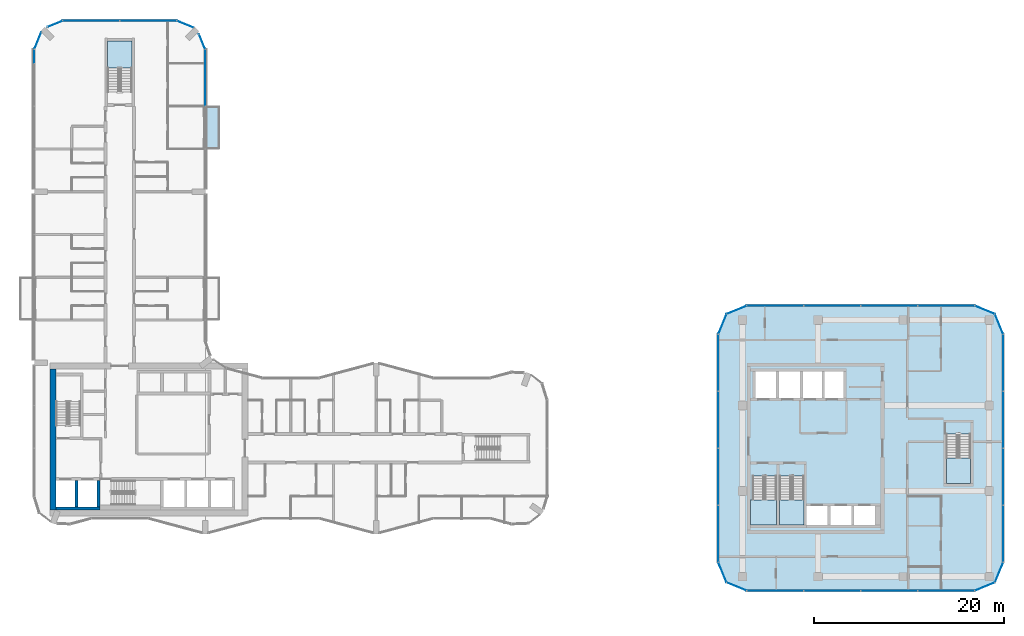
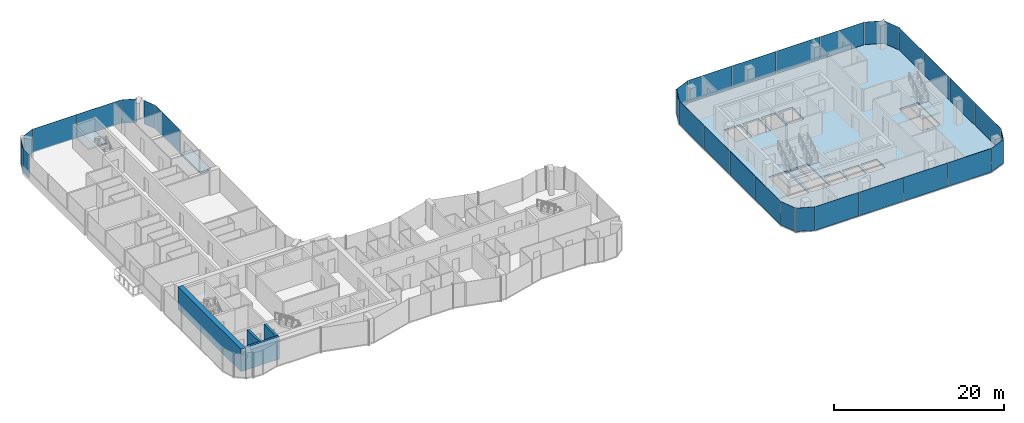
# One storey, part 12 of 22: 32 plates, 6 slabs, 4 walls, 23 elements without a shape of their own.
"""IFC4 building model written with IfcOpenShell, lengths in metres."""

from ifc_helpers import new_model, si_unit, direction, frame, frame_2d, origin, origin_2d, place, context, subcontext, project, spatial, polyline, rectangle, outline, extrude, material, layer, layer_set, type_object, element, aggregate, save


model = new_model("IFC4")

# Units and contexts
model_context = context("Model", 3, precision=1e-05, world=origin(), true_north=direction((0.0, 1.0)))
body_context = subcontext(model_context, "Body", "Model", "MODEL_VIEW")
ifc_project = project(units=[si_unit("LENGTHUNIT", "METRE"), si_unit("AREAUNIT", "SQUARE_METRE"), si_unit("VOLUMEUNIT", "CUBIC_METRE"), si_unit("PLANEANGLEUNIT", "RADIAN"), si_unit("MASSUNIT", "GRAM", prefix="KILO")], contexts=[model_context])

# Site, building, storey
site_placement = place(None, origin())
site = spatial("IfcSite", under=ifc_project, at=site_placement, CompositionType="ELEMENT")
building_placement = place(site_placement, origin())
building = spatial("IfcBuilding", under=site, at=building_placement, Name="Plateau Cross Towers", CompositionType="ELEMENT")
storey_placement = place(building_placement, frame((0.0, 0.0, 106.300048828125)))
storey = spatial("IfcBuildingStorey", under=building, at=storey_placement, Name="L27", CompositionType="ELEMENT", Elevation=106.300048828125)

# Slab
ifc_material_1 = material(Name="Concrete C40/50", Category="concrete")
ifc_layer_1 = layer(ifc_material_1, 0.25)
ifc_layer_set_1 = layer_set([ifc_layer_1], Name="Concrete C40/50")
slab_type_1 = type_object("IfcSlabType", Name="Balcony slab 250", PredefinedType="FLOOR", material=ifc_layer_set_1)
slab_1_placement = place(storey_placement, frame((0.0, 0.0, -0.25)))
element("IfcSlab", 1, at=slab_1_placement, inside=storey, type_object=slab_type_1, Name="Balcony slab A-BAL-L27-03", PredefinedType="FLOOR", context=body_context, shape_type="SweptSolid", body=[
    extrude(outline(polyline([(19.5, 40.5), (19.5, 45.0), (18.0, 45.0), (18.0, 40.5), (19.5, 40.5)])), origin(), (0.0, 0.0, 1.0), 0.25),
])

# Curtain wall, plates
ifc_material_2 = material(Name="Dark low-iron glass", Category="glass")
ifc_layer_2 = layer(ifc_material_2, 0.239990234375)
ifc_layer_set_2 = layer_set([ifc_layer_2], Name="Dark low-iron glass")
curtain_wall_type_1 = type_object("IfcCurtainWallType", Name="Curtain wall office unitised CW-F", PredefinedType="NOTDEFINED", material=ifc_layer_set_2)
curtain_wall_1_placement = place(storey_placement, origin())
curtain_wall_1 = element("IfcCurtainWall", 2, at=curtain_wall_1_placement, inside=storey, type_object=curtain_wall_type_1, Name="ENV/B/L27/B750_-60", PredefinedType="NOTDEFINED")
ifc_layer_3 = layer(ifc_material_2, 0.028076171875)
ifc_layer_set_3 = layer_set([ifc_layer_3], Name="Dark low-iron glass")
plate_type_1 = type_object("IfcPlateType", Name="Glass panel 28 office unitised", PredefinedType="CURTAIN_PANEL", material=ifc_layer_set_3)
plate_1_placement = place(storey_placement, frame((78.0, -6.0, -0.1298828125), z_axis=(0.0, 0.0, 1.0), x_axis=(1.0, 0.0, 0.0)))
plate_1 = element("IfcPlate", 3, at=plate_1_placement, type_object=plate_type_1, Name="CW-F panel 1", PredefinedType="CURTAIN_PANEL", context=body_context, shape_type="SweptSolid", body=[
    extrude(rectangle(XDim=5.93994140625, YDim=0.028076171875, at=origin_2d()), origin(), (0.0, 0.0, 1.0), 3.3798828125),
])
plate_2_placement = place(storey_placement, frame((84.0, -6.0, -0.1298828125), z_axis=(0.0, 0.0, 1.0), x_axis=(1.0, 0.0, 0.0)))
plate_2 = element("IfcPlate", 4, at=plate_2_placement, type_object=plate_type_1, Name="CW-F panel 2", PredefinedType="CURTAIN_PANEL", context=body_context, shape_type="SweptSolid", body=[
    extrude(rectangle(XDim=5.93994140625, YDim=0.028076171875, at=origin_2d()), origin(), (0.0, 0.0, 1.0), 3.3798828125),
])
plate_3_placement = place(storey_placement, frame((90.0, -6.0, -0.1298828125), z_axis=(0.0, 0.0, 1.0), x_axis=(1.0, 0.0, 0.0)))
plate_3 = element("IfcPlate", 5, at=plate_3_placement, type_object=plate_type_1, Name="CW-F panel 3", PredefinedType="CURTAIN_PANEL", context=body_context, shape_type="SweptSolid", body=[
    extrude(rectangle(XDim=5.93994140625, YDim=0.028076171875, at=origin_2d()), origin(), (0.0, 0.0, 1.0), 3.3798828125),
])
plate_4_placement = place(storey_placement, frame((96.0, -6.0, -0.1298828125), z_axis=(0.0, 0.0, 1.0), x_axis=(1.0, 0.0, 0.0)))
plate_4 = element("IfcPlate", 6, at=plate_4_placement, type_object=plate_type_1, Name="CW-F panel 4", PredefinedType="CURTAIN_PANEL", context=body_context, shape_type="SweptSolid", body=[
    extrude(rectangle(XDim=5.93994140625, YDim=0.028076171875, at=origin_2d()), origin(), (0.0, 0.0, 1.0), 3.3798828125),
])
aggregate(curtain_wall_1, [plate_1, plate_2, plate_3, plate_4])

# Curtain wall, plate
curtain_wall_2_placement = place(storey_placement, origin())
curtain_wall_2 = element("IfcCurtainWall", 7, at=curtain_wall_2_placement, inside=storey, type_object=curtain_wall_type_1, Name="ENV/B/L27/B990_-60", PredefinedType="NOTDEFINED")
plate_5_placement = place(storey_placement, frame((100.060546875, -5.560546875, -0.1298828125), z_axis=(0.0, 0.0, 1.0), x_axis=(0.923879457699, 0.382683612978, 0.0)))
plate_5 = element("IfcPlate", 8, at=plate_5_placement, type_object=plate_type_1, Name="CW-F panel 1", PredefinedType="CURTAIN_PANEL", context=body_context, shape_type="SweptSolid", body=[
    extrude(rectangle(XDim=2.236083984375, YDim=0.028076171875, at=origin_2d()), origin(), (0.0, 0.0, 1.0), 3.3798828125),
])
aggregate(curtain_wall_2, [plate_5])

curtain_wall_3_placement = place(storey_placement, origin())
curtain_wall_3 = element("IfcCurtainWall", 9, at=curtain_wall_3_placement, inside=storey, type_object=curtain_wall_type_1, Name="ENV/B/L27/B1011_-51", PredefinedType="NOTDEFINED")
plate_6_placement = place(storey_placement, frame((101.560546875, -4.060546875, -0.1298828125), z_axis=(0.0, 0.0, 1.0), x_axis=(0.382683612978, 0.923879457699, 0.0)))
plate_6 = element("IfcPlate", 10, at=plate_6_placement, type_object=plate_type_1, Name="CW-F panel 1", PredefinedType="CURTAIN_PANEL", context=body_context, shape_type="SweptSolid", body=[
    extrude(rectangle(XDim=2.236083984375, YDim=0.028076171875, at=origin_2d()), origin(), (0.0, 0.0, 1.0), 3.3798828125),
])
aggregate(curtain_wall_3, [plate_6])

# Curtain wall, plates
curtain_wall_4_placement = place(storey_placement, origin())
curtain_wall_4 = element("IfcCurtainWall", 11, at=curtain_wall_4_placement, inside=storey, type_object=curtain_wall_type_1, Name="ENV/B/L27/B1020_-30", PredefinedType="NOTDEFINED")
plate_7_placement = place(storey_placement, frame((102.0, 0.0, -0.1298828125), z_axis=(0.0, 0.0, 1.0), x_axis=(0.0, 1.0, 0.0)))
plate_7 = element("IfcPlate", 12, at=plate_7_placement, type_object=plate_type_1, Name="CW-F panel 1", PredefinedType="CURTAIN_PANEL", context=body_context, shape_type="SweptSolid", body=[
    extrude(rectangle(XDim=5.93994140625, YDim=0.028076171875, at=origin_2d()), origin(), (0.0, 0.0, 1.0), 3.3798828125),
])
plate_8_placement = place(storey_placement, frame((102.0, 6.0, -0.1298828125), z_axis=(0.0, 0.0, 1.0), x_axis=(0.0, 1.0, 0.0)))
plate_8 = element("IfcPlate", 13, at=plate_8_placement, type_object=plate_type_1, Name="CW-F panel 2", PredefinedType="CURTAIN_PANEL", context=body_context, shape_type="SweptSolid", body=[
    extrude(rectangle(XDim=5.93994140625, YDim=0.028076171875, at=origin_2d()), origin(), (0.0, 0.0, 1.0), 3.3798828125),
])
plate_9_placement = place(storey_placement, frame((102.0, 12.0, -0.1298828125), z_axis=(0.0, 0.0, 1.0), x_axis=(0.0, 1.0, 0.0)))
plate_9 = element("IfcPlate", 14, at=plate_9_placement, type_object=plate_type_1, Name="CW-F panel 3", PredefinedType="CURTAIN_PANEL", context=body_context, shape_type="SweptSolid", body=[
    extrude(rectangle(XDim=5.93994140625, YDim=0.028076171875, at=origin_2d()), origin(), (0.0, 0.0, 1.0), 3.3798828125),
])
plate_10_placement = place(storey_placement, frame((102.0, 18.0, -0.1298828125), z_axis=(0.0, 0.0, 1.0), x_axis=(0.0, 1.0, 0.0)))
plate_10 = element("IfcPlate", 15, at=plate_10_placement, type_object=plate_type_1, Name="CW-F panel 4", PredefinedType="CURTAIN_PANEL", context=body_context, shape_type="SweptSolid", body=[
    extrude(rectangle(XDim=5.93994140625, YDim=0.028076171875, at=origin_2d()), origin(), (0.0, 0.0, 1.0), 3.3798828125),
])
aggregate(curtain_wall_4, [plate_7, plate_8, plate_9, plate_10])

# Curtain wall, plate
curtain_wall_5_placement = place(storey_placement, origin())
curtain_wall_5 = element("IfcCurtainWall", 16, at=curtain_wall_5_placement, inside=storey, type_object=curtain_wall_type_1, Name="ENV/B/L27/B1020_210", PredefinedType="NOTDEFINED")
plate_11_placement = place(storey_placement, frame((101.560546875, 22.060546875, -0.1298828125), z_axis=(0.0, 0.0, 1.0), x_axis=(-0.382683612978, 0.923879457699, 0.0)))
plate_11 = element("IfcPlate", 17, at=plate_11_placement, type_object=plate_type_1, Name="CW-F panel 1", PredefinedType="CURTAIN_PANEL", context=body_context, shape_type="SweptSolid", body=[
    extrude(rectangle(XDim=2.236083984375, YDim=0.028076171875, at=origin_2d()), origin(), (0.0, 0.0, 1.0), 3.3798828125),
])
aggregate(curtain_wall_5, [plate_11])

curtain_wall_6_placement = place(storey_placement, origin())
curtain_wall_6 = element("IfcCurtainWall", 18, at=curtain_wall_6_placement, inside=storey, type_object=curtain_wall_type_1, Name="ENV/B/L27/B1011_231", PredefinedType="NOTDEFINED")
plate_12_placement = place(storey_placement, frame((100.060546875, 23.560546875, -0.1298828125), z_axis=(0.0, 0.0, 1.0), x_axis=(-0.923879457699, 0.382683612978, 0.0)))
plate_12 = element("IfcPlate", 19, at=plate_12_placement, type_object=plate_type_1, Name="CW-F panel 1", PredefinedType="CURTAIN_PANEL", context=body_context, shape_type="SweptSolid", body=[
    extrude(rectangle(XDim=2.236083984375, YDim=0.028076171875, at=origin_2d()), origin(), (0.0, 0.0, 1.0), 3.3798828125),
])
aggregate(curtain_wall_6, [plate_12])

# Curtain wall, plates
curtain_wall_7_placement = place(storey_placement, origin())
curtain_wall_7 = element("IfcCurtainWall", 20, at=curtain_wall_7_placement, inside=storey, type_object=curtain_wall_type_1, Name="ENV/B/L27/B990_240", PredefinedType="NOTDEFINED")
plate_13_placement = place(storey_placement, frame((96.0, 24.0, -0.1298828125), z_axis=(0.0, 0.0, 1.0), x_axis=(-1.0, 0.0, 0.0)))
plate_13 = element("IfcPlate", 21, at=plate_13_placement, type_object=plate_type_1, Name="CW-F panel 1", PredefinedType="CURTAIN_PANEL", context=body_context, shape_type="SweptSolid", body=[
    extrude(rectangle(XDim=5.93994140625, YDim=0.028076171875, at=origin_2d()), origin(), (0.0, 0.0, 1.0), 3.3798828125),
])
plate_14_placement = place(storey_placement, frame((90.0, 24.0, -0.1298828125), z_axis=(0.0, 0.0, 1.0), x_axis=(-1.0, 0.0, 0.0)))
plate_14 = element("IfcPlate", 22, at=plate_14_placement, type_object=plate_type_1, Name="CW-F panel 2", PredefinedType="CURTAIN_PANEL", context=body_context, shape_type="SweptSolid", body=[
    extrude(rectangle(XDim=5.93994140625, YDim=0.028076171875, at=origin_2d()), origin(), (0.0, 0.0, 1.0), 3.3798828125),
])
plate_15_placement = place(storey_placement, frame((84.0, 24.0, -0.1298828125), z_axis=(0.0, 0.0, 1.0), x_axis=(-1.0, 0.0, 0.0)))
plate_15 = element("IfcPlate", 23, at=plate_15_placement, type_object=plate_type_1, Name="CW-F panel 3", PredefinedType="CURTAIN_PANEL", context=body_context, shape_type="SweptSolid", body=[
    extrude(rectangle(XDim=5.93994140625, YDim=0.028076171875, at=origin_2d()), origin(), (0.0, 0.0, 1.0), 3.3798828125),
])
plate_16_placement = place(storey_placement, frame((78.0, 24.0, -0.1298828125), z_axis=(0.0, 0.0, 1.0), x_axis=(-1.0, 0.0, 0.0)))
plate_16 = element("IfcPlate", 24, at=plate_16_placement, type_object=plate_type_1, Name="CW-F panel 4", PredefinedType="CURTAIN_PANEL", context=body_context, shape_type="SweptSolid", body=[
    extrude(rectangle(XDim=5.93994140625, YDim=0.028076171875, at=origin_2d()), origin(), (0.0, 0.0, 1.0), 3.3798828125),
])
aggregate(curtain_wall_7, [plate_13, plate_14, plate_15, plate_16])

# Curtain wall, plate
curtain_wall_8_placement = place(storey_placement, origin())
curtain_wall_8 = element("IfcCurtainWall", 25, at=curtain_wall_8_placement, inside=storey, type_object=curtain_wall_type_1, Name="ENV/B/L27/B750_240", PredefinedType="NOTDEFINED")
plate_17_placement = place(storey_placement, frame((73.939453125, 23.560546875, -0.1298828125), z_axis=(0.0, 0.0, 1.0), x_axis=(-0.923879457699, -0.382683612978, 0.0)))
plate_17 = element("IfcPlate", 26, at=plate_17_placement, type_object=plate_type_1, Name="CW-F panel 1", PredefinedType="CURTAIN_PANEL", context=body_context, shape_type="SweptSolid", body=[
    extrude(rectangle(XDim=2.236083984375, YDim=0.028076171875, at=origin_2d()), origin(), (0.0, 0.0, 1.0), 3.3798828125),
])
aggregate(curtain_wall_8, [plate_17])

curtain_wall_9_placement = place(storey_placement, origin())
curtain_wall_9 = element("IfcCurtainWall", 27, at=curtain_wall_9_placement, inside=storey, type_object=curtain_wall_type_1, Name="ENV/B/L27/B729_231", PredefinedType="NOTDEFINED")
plate_18_placement = place(storey_placement, frame((72.439453125, 22.060546875, -0.1298828125), z_axis=(0.0, 0.0, 1.0), x_axis=(-0.382683612978, -0.923879457699, 0.0)))
plate_18 = element("IfcPlate", 28, at=plate_18_placement, type_object=plate_type_1, Name="CW-F panel 1", PredefinedType="CURTAIN_PANEL", context=body_context, shape_type="SweptSolid", body=[
    extrude(rectangle(XDim=2.236083984375, YDim=0.028076171875, at=origin_2d()), origin(), (0.0, 0.0, 1.0), 3.3798828125),
])
aggregate(curtain_wall_9, [plate_18])

# Curtain wall, plates
curtain_wall_10_placement = place(storey_placement, origin())
curtain_wall_10 = element("IfcCurtainWall", 29, at=curtain_wall_10_placement, inside=storey, type_object=curtain_wall_type_1, Name="ENV/B/L27/B720_210", PredefinedType="NOTDEFINED")
plate_19_placement = place(storey_placement, frame((72.0, 18.0, -0.1298828125), z_axis=(0.0, 0.0, 1.0), x_axis=(0.0, -1.0, 0.0)))
plate_19 = element("IfcPlate", 30, at=plate_19_placement, type_object=plate_type_1, Name="CW-F panel 1", PredefinedType="CURTAIN_PANEL", context=body_context, shape_type="SweptSolid", body=[
    extrude(rectangle(XDim=5.93994140625, YDim=0.028076171875, at=origin_2d()), origin(), (0.0, 0.0, 1.0), 3.3798828125),
])
plate_20_placement = place(storey_placement, frame((72.0, 12.0, -0.1298828125), z_axis=(0.0, 0.0, 1.0), x_axis=(0.0, -1.0, 0.0)))
plate_20 = element("IfcPlate", 31, at=plate_20_placement, type_object=plate_type_1, Name="CW-F panel 2", PredefinedType="CURTAIN_PANEL", context=body_context, shape_type="SweptSolid", body=[
    extrude(rectangle(XDim=5.93994140625, YDim=0.028076171875, at=origin_2d()), origin(), (0.0, 0.0, 1.0), 3.3798828125),
])
plate_21_placement = place(storey_placement, frame((72.0, 6.0, -0.1298828125), z_axis=(0.0, 0.0, 1.0), x_axis=(0.0, -1.0, 0.0)))
plate_21 = element("IfcPlate", 32, at=plate_21_placement, type_object=plate_type_1, Name="CW-F panel 3", PredefinedType="CURTAIN_PANEL", context=body_context, shape_type="SweptSolid", body=[
    extrude(rectangle(XDim=5.93994140625, YDim=0.028076171875, at=origin_2d()), origin(), (0.0, 0.0, 1.0), 3.3798828125),
])
plate_22_placement = place(storey_placement, frame((72.0, 0.0, -0.1298828125), z_axis=(0.0, 0.0, 1.0), x_axis=(0.0, -1.0, 0.0)))
plate_22 = element("IfcPlate", 33, at=plate_22_placement, type_object=plate_type_1, Name="CW-F panel 4", PredefinedType="CURTAIN_PANEL", context=body_context, shape_type="SweptSolid", body=[
    extrude(rectangle(XDim=5.93994140625, YDim=0.028076171875, at=origin_2d()), origin(), (0.0, 0.0, 1.0), 3.3798828125),
])
aggregate(curtain_wall_10, [plate_19, plate_20, plate_21, plate_22])

# Curtain wall, plate
curtain_wall_11_placement = place(storey_placement, origin())
curtain_wall_11 = element("IfcCurtainWall", 34, at=curtain_wall_11_placement, inside=storey, type_object=curtain_wall_type_1, Name="ENV/B/L27/B720_-30", PredefinedType="NOTDEFINED")
plate_23_placement = place(storey_placement, frame((72.439453125, -4.060546875, -0.1298828125), z_axis=(0.0, 0.0, 1.0), x_axis=(0.382683612978, -0.923879457699, 0.0)))
plate_23 = element("IfcPlate", 35, at=plate_23_placement, type_object=plate_type_1, Name="CW-F panel 1", PredefinedType="CURTAIN_PANEL", context=body_context, shape_type="SweptSolid", body=[
    extrude(rectangle(XDim=2.236083984375, YDim=0.028076171875, at=origin_2d()), origin(), (0.0, 0.0, 1.0), 3.3798828125),
])
aggregate(curtain_wall_11, [plate_23])

curtain_wall_12_placement = place(storey_placement, origin())
curtain_wall_12 = element("IfcCurtainWall", 36, at=curtain_wall_12_placement, inside=storey, type_object=curtain_wall_type_1, Name="ENV/B/L27/B729_-51", PredefinedType="NOTDEFINED")
plate_24_placement = place(storey_placement, frame((73.939453125, -5.560546875, -0.1298828125), z_axis=(0.0, 0.0, 1.0), x_axis=(0.923879457699, -0.382683612978, 0.0)))
plate_24 = element("IfcPlate", 37, at=plate_24_placement, type_object=plate_type_1, Name="CW-F panel 1", PredefinedType="CURTAIN_PANEL", context=body_context, shape_type="SweptSolid", body=[
    extrude(rectangle(XDim=2.236083984375, YDim=0.028076171875, at=origin_2d()), origin(), (0.0, 0.0, 1.0), 3.3798828125),
])
aggregate(curtain_wall_12, [plate_24])

ifc_layer_4 = layer(ifc_material_2, 0.239990234375)
ifc_layer_set_4 = layer_set([ifc_layer_4], Name="Dark low-iron glass")
curtain_wall_type_2 = type_object("IfcCurtainWallType", Name="Curtain wall flush unitised CW-B", PredefinedType="NOTDEFINED", material=ifc_layer_set_4)
curtain_wall_13_placement = place(storey_placement, origin())
curtain_wall_13 = element("IfcCurtainWall", 38, at=curtain_wall_13_placement, inside=storey, type_object=curtain_wall_type_2, Name="ENV/A/L27/A180_450", PredefinedType="NOTDEFINED")
ifc_layer_5 = layer(ifc_material_2, 0.031982421875)
ifc_layer_set_5 = layer_set([ifc_layer_5], Name="Dark low-iron glass")
plate_type_2 = type_object("IfcPlateType", Name="Glass panel 32 flush unitised", PredefinedType="CURTAIN_PANEL", material=ifc_layer_set_5)
plate_25_placement = place(storey_placement, frame((18.0, 48.0048828125, -0.1298828125), z_axis=(0.0, 0.0, 1.0), x_axis=(0.0, 1.0, 0.0)))
plate_25 = element("IfcPlate", 39, at=plate_25_placement, type_object=plate_type_2, Name="CW-B panel 1", PredefinedType="CURTAIN_PANEL", context=body_context, shape_type="SweptSolid", body=[
    extrude(rectangle(XDim=5.929931640625, YDim=0.031982421875, at=origin_2d()), origin(), (0.0, 0.0, 1.0), 3.3798828125),
])
aggregate(curtain_wall_13, [plate_25])

curtain_wall_14_placement = place(storey_placement, origin())
curtain_wall_14 = element("IfcCurtainWall", 40, at=curtain_wall_14_placement, inside=storey, type_object=curtain_wall_type_2, Name="ENV/A/L27/A180_510", PredefinedType="NOTDEFINED")
plate_26_placement = place(storey_placement, frame((17.66943359375, 51.79833984375, -0.1298828125), z_axis=(0.0, 0.0, 1.0), x_axis=(-0.382683612978, 0.923879457699, 0.0)))
plate_26 = element("IfcPlate", 41, at=plate_26_placement, type_object=plate_type_2, Name="CW-B panel 1", PredefinedType="CURTAIN_PANEL", context=body_context, shape_type="SweptSolid", body=[
    extrude(rectangle(XDim=1.668212890625, YDim=0.031982421875, at=origin_2d()), origin(), (0.0, 0.0, 1.0), 3.3798828125),
])
aggregate(curtain_wall_14, [plate_26])

curtain_wall_15_placement = place(storey_placement, origin())
curtain_wall_15 = element("IfcCurtainWall", 42, at=curtain_wall_15_placement, inside=storey, type_object=curtain_wall_type_2, Name="ENV/A/L27/A168_533", PredefinedType="NOTDEFINED")
plate_27_placement = place(storey_placement, frame((15.90283203125, 53.6259765625, -0.1298828125), z_axis=(0.0, 0.0, 1.0), x_axis=(-0.923879457699, 0.382683612978, 0.0)))
plate_27 = element("IfcPlate", 43, at=plate_27_placement, type_object=plate_type_2, Name="CW-B panel 1", PredefinedType="CURTAIN_PANEL", context=body_context, shape_type="SweptSolid", body=[
    extrude(rectangle(XDim=1.894775390625, YDim=0.031982421875, at=origin_2d()), origin(), (0.0, 0.0, 1.0), 3.3798828125),
])
aggregate(curtain_wall_15, [plate_27])

# Curtain wall, plates
curtain_wall_16_placement = place(storey_placement, origin())
curtain_wall_16 = element("IfcCurtainWall", 44, at=curtain_wall_16_placement, inside=storey, type_object=curtain_wall_type_2, Name="ENV/A/L27/A150_540", PredefinedType="NOTDEFINED")
plate_28_placement = place(storey_placement, frame((12.0, 54.0, -0.1298828125), z_axis=(0.0, 0.0, 1.0), x_axis=(-1.0, 0.0, 0.0)))
plate_28 = element("IfcPlate", 45, at=plate_28_placement, type_object=plate_type_2, Name="CW-B panel 1", PredefinedType="CURTAIN_PANEL", context=body_context, shape_type="SweptSolid", body=[
    extrude(rectangle(XDim=5.93994140625, YDim=0.031982421875, at=origin_2d()), origin(), (0.0, 0.0, 1.0), 3.3798828125),
])
plate_29_placement = place(storey_placement, frame((6.0, 54.0, -0.1298828125), z_axis=(0.0, 0.0, 1.0), x_axis=(-1.0, 0.0, 0.0)))
plate_29 = element("IfcPlate", 46, at=plate_29_placement, type_object=plate_type_2, Name="CW-B panel 2", PredefinedType="CURTAIN_PANEL", context=body_context, shape_type="SweptSolid", body=[
    extrude(rectangle(XDim=5.93994140625, YDim=0.031982421875, at=origin_2d()), origin(), (0.0, 0.0, 1.0), 3.3798828125),
])
aggregate(curtain_wall_16, [plate_28, plate_29])

# Curtain wall, plate
curtain_wall_17_placement = place(storey_placement, origin())
curtain_wall_17 = element("IfcCurtainWall", 47, at=curtain_wall_17_placement, inside=storey, type_object=curtain_wall_type_2, Name="ENV/A/L27/A30_540", PredefinedType="NOTDEFINED")
plate_30_placement = place(storey_placement, frame((2.20166015625, 53.66943359375, -0.1298828125), z_axis=(0.0, 0.0, 1.0), x_axis=(-0.923879457699, -0.382683612978, 0.0)))
plate_30 = element("IfcPlate", 48, at=plate_30_placement, type_object=plate_type_2, Name="CW-B panel 1", PredefinedType="CURTAIN_PANEL", context=body_context, shape_type="SweptSolid", body=[
    extrude(rectangle(XDim=1.668212890625, YDim=0.031982421875, at=origin_2d()), origin(), (0.0, 0.0, 1.0), 3.3798828125),
])
aggregate(curtain_wall_17, [plate_30])

curtain_wall_18_placement = place(storey_placement, origin())
curtain_wall_18 = element("IfcCurtainWall", 49, at=curtain_wall_18_placement, inside=storey, type_object=curtain_wall_type_2, Name="ENV/A/L27/A7_528", PredefinedType="NOTDEFINED")
plate_31_placement = place(storey_placement, frame((0.3740234375, 51.90283203125, -0.1298828125), z_axis=(0.0, 0.0, 1.0), x_axis=(-0.382683612978, -0.923879457699, 0.0)))
plate_31 = element("IfcPlate", 50, at=plate_31_placement, type_object=plate_type_2, Name="CW-B panel 1", PredefinedType="CURTAIN_PANEL", context=body_context, shape_type="SweptSolid", body=[
    extrude(rectangle(XDim=1.894775390625, YDim=0.031982421875, at=origin_2d()), origin(), (0.0, 0.0, 1.0), 3.3798828125),
])
aggregate(curtain_wall_18, [plate_31])

curtain_wall_19_placement = place(storey_placement, origin())
curtain_wall_19 = element("IfcCurtainWall", 51, at=curtain_wall_19_placement, inside=storey, type_object=curtain_wall_type_2, Name="ENV/A/L27/A0_510", PredefinedType="NOTDEFINED")
plate_32_placement = place(storey_placement, frame((0.0, 50.25, -0.1298828125), z_axis=(0.0, 0.0, 1.0), x_axis=(0.0, -1.0, 0.0)))
plate_32 = element("IfcPlate", 52, at=plate_32_placement, type_object=plate_type_2, Name="CW-B panel 1", PredefinedType="CURTAIN_PANEL", context=body_context, shape_type="SweptSolid", body=[
    extrude(rectangle(XDim=1.43994140625, YDim=0.031982421875, at=origin_2d()), origin(), (0.0, 0.0, 1.0), 3.3798828125),
])
aggregate(curtain_wall_19, [plate_32])

# Slab
ifc_layer_6 = layer(ifc_material_1, 0.25)
ifc_layer_set_6 = layer_set([ifc_layer_6], Name="Concrete C40/50")
slab_type_2 = type_object("IfcSlabType", Name="Post-tensioned flat plate slab 250", PredefinedType="FLOOR", material=ifc_layer_set_6)
slab_2_placement = place(storey_placement, frame((0.0, 0.0, -0.25)))
element("IfcSlab", 53, at=slab_2_placement, inside=storey, type_object=slab_type_2, Name="SL-B-L27", PredefinedType="FLOOR", context=body_context, shape_type="SweptSolid", body=[
    extrude(outline(polyline([(72.878662109375, -5.121337890625), (72.0, -3.0), (72.0, 21.0), (72.878662109375, 23.121337890625), (75.0, 24.0), (99.0, 24.0), (101.121337890625, 23.121337890625), (102.0, 21.0), (102.0, -3.0), (101.121337890625, -5.121337890625), (99.0, -6.0), (75.0, -6.0), (72.878662109375, -5.121337890625)]), holes=[polyline([(75.60009765625, 0.89990234375), (78.14990234375, 0.89990234375), (78.14990234375, 6.10009765625), (75.60009765625, 6.10009765625), (75.60009765625, 0.89990234375)]), polyline([(78.10009765625, 14.300048828125), (78.10009765625, 17.10009765625), (75.89990234375, 17.10009765625), (75.89990234375, 14.300048828125), (78.10009765625, 14.300048828125)]), polyline([(83.5, 0.89990234375), (83.5, 2.89990234375), (81.300048828125, 2.89990234375), (81.300048828125, 0.89990234375), (83.5, 0.89990234375)]), polyline([(86.0, 0.89990234375), (86.0, 2.89990234375), (83.800048828125, 2.89990234375), (83.800048828125, 0.89990234375), (86.0, 0.89990234375)]), polyline([(88.5, 0.89990234375), (88.5, 2.89990234375), (86.300048828125, 2.89990234375), (86.300048828125, 0.89990234375), (88.5, 0.89990234375)]), polyline([(78.449951171875, 0.89990234375), (81.0, 0.89990234375), (81.0, 6.10009765625), (78.449951171875, 6.10009765625), (78.449951171875, 0.89990234375)]), polyline([(96.0, 5.300048828125), (98.550048828125, 5.300048828125), (98.550048828125, 10.5), (96.0, 10.5), (96.0, 5.300048828125)]), polyline([(80.60009765625, 14.300048828125), (80.60009765625, 17.10009765625), (78.39990234375, 17.10009765625), (78.39990234375, 14.300048828125), (80.60009765625, 14.300048828125)]), polyline([(80.89990234375, 14.300048828125), (82.89990234375, 14.300048828125), (82.89990234375, 17.10009765625), (80.89990234375, 17.10009765625), (80.89990234375, 14.300048828125)]), polyline([(83.199951171875, 14.300048828125), (85.199951171875, 14.300048828125), (85.199951171875, 17.10009765625), (83.199951171875, 17.10009765625), (83.199951171875, 14.300048828125)])]), origin(), (0.0, 0.0, 1.0), 0.25),
])

# Stair, slab
stair_type = type_object("IfcStairType", Name="ST-TWR", PredefinedType="HALF_TURN_STAIR", material=ifc_material_1)
stair_1_placement = place(storey_placement, origin())
stair_1 = element("IfcStair", 54, at=stair_1_placement, inside=storey, type_object=stair_type, Name="L27 Protected Exit Stair SB-1", PredefinedType="HALF_TURN_STAIR")
ifc_layer_7 = layer(ifc_material_1, 0.199951171875)
ifc_layer_set_7 = layer_set([ifc_layer_7], Name="Concrete C40/50")
slab_type_3 = type_object("IfcSlabType", Name="SL-LANDING", PredefinedType="LANDING", material=ifc_layer_set_7)
slab_3_placement = place(storey_placement, frame((0.0, 0.0, 1.550048828125)))
slab_3 = element("IfcSlab", 55, at=slab_3_placement, type_object=slab_type_3, Name="SB-1 landing 1", PredefinedType="LANDING", context=body_context, shape_type="SweptSolid", body=[
    extrude(outline(polyline([(75.39990234375, 3.580078125), (75.39990234375, 0.89990234375), (78.14990234375, 0.89990234375), (78.14990234375, 3.580078125), (75.39990234375, 3.580078125)])), origin(), (0.0, 0.0, 1.0), 0.199951171875),
])
aggregate(stair_1, [slab_3])

stair_2_placement = place(storey_placement, origin())
stair_2 = element("IfcStair", 56, at=stair_2_placement, inside=storey, type_object=stair_type, Name="L27 Protected Exit Stair SB-2", PredefinedType="HALF_TURN_STAIR")
slab_4_placement = place(storey_placement, frame((0.0, 0.0, 1.550048828125)))
slab_4 = element("IfcSlab", 57, at=slab_4_placement, type_object=slab_type_3, Name="SB-2 landing 1", PredefinedType="LANDING", context=body_context, shape_type="SweptSolid", body=[
    extrude(outline(polyline([(78.449951171875, 3.580078125), (78.449951171875, 0.89990234375), (81.0, 0.89990234375), (81.0, 3.580078125), (78.449951171875, 3.580078125)])), origin(), (0.0, 0.0, 1.0), 0.199951171875),
])
aggregate(stair_2, [slab_4])

stair_3_placement = place(storey_placement, origin())
stair_3 = element("IfcStair", 58, at=stair_3_placement, inside=storey, type_object=stair_type, Name="L27 Protected Exit Stair SB-3", PredefinedType="HALF_TURN_STAIR")
slab_5_placement = place(storey_placement, frame((0.0, 0.0, 1.550048828125)))
slab_5 = element("IfcSlab", 59, at=slab_5_placement, type_object=slab_type_3, Name="SB-3 landing 1", PredefinedType="LANDING", context=body_context, shape_type="SweptSolid", body=[
    extrude(outline(polyline([(96.0, 7.97998046875), (96.0, 5.300048828125), (98.550048828125, 5.300048828125), (98.550048828125, 7.97998046875), (96.0, 7.97998046875)])), origin(), (0.0, 0.0, 1.0), 0.199951171875),
])
aggregate(stair_3, [slab_5])

stair_4_placement = place(storey_placement, origin())
stair_4 = element("IfcStair", 60, at=stair_4_placement, inside=storey, type_object=stair_type, Name="L27 Protected Exit Stair N", PredefinedType="HALF_TURN_STAIR")
slab_6_placement = place(storey_placement, frame((0.0, 0.0, 1.550048828125)))
slab_6 = element("IfcSlab", 61, at=slab_6_placement, type_object=slab_type_3, Name="ES-N landing 1", PredefinedType="LANDING", context=body_context, shape_type="SweptSolid", body=[
    extrude(outline(polyline([(10.27490234375, 49.02001953125), (10.27490234375, 51.85009765625), (7.72509765625, 51.85009765625), (7.72509765625, 49.02001953125), (10.27490234375, 49.02001953125)])), origin(), (0.0, 0.0, 1.0), 0.199951171875),
])
aggregate(stair_4, [slab_6])

# Walls
ifc_material_3 = material(Name="Concrete C60/75", Category="concrete")
ifc_layer_8 = layer(ifc_material_3, 0.300048828125)
ifc_layer_set_8 = layer_set([ifc_layer_8], Name="Concrete C60/75")
wall_type_1 = type_object("IfcWallType", Name="Core shaft wall 300", PredefinedType="SHEAR", material=ifc_layer_set_8)
wall_1_placement = place(storey_placement, frame((2.300048828125, 2.64990234375, 0.0), z_axis=(0.0, 0.0, 1.0), x_axis=(1.0, 0.0, 0.0)))
element("IfcWall", 62, at=wall_1_placement, inside=storey, type_object=wall_type_1, Name="A-sb-back1@L27", PredefinedType="SHEAR", context=body_context, shape_type="SweptSolid", body=[
    extrude(rectangle(XDim=4.599853515625, YDim=0.300048828125, at=frame_2d((2.2998046875, 0.0))), origin(), (0.0, 0.0, 1.0), 3.25),
])
for number, where, z_axis, x_axis, name in (
    (63, (4.449951171875, 2.800048828125, 0.0), (0.0, 0.0, 1.0), (0.0, 1.0, 0.0), "A-sb-v1@L27"),
    (64, (6.75, 2.800048828125, 0.0), (0.0, 0.0, 1.0), (0.0, 1.0, 0.0), "A-sb-v2@L27"),
):
    element("IfcWall", number, at=place(storey_placement, frame(where, z_axis=z_axis, x_axis=x_axis)), inside=storey, type_object=wall_type_1, Name=name, PredefinedType="SHEAR", context=body_context, shape_type="SweptSolid", body=[
        extrude(rectangle(XDim=2.800048828125, YDim=0.300048828125, at=frame_2d((1.39990234375, 0.0))), origin(), (0.0, 0.0, 1.0), 3.25),
    ])
ifc_layer_9 = layer(ifc_material_3, 0.64990234375)
ifc_layer_set_9 = layer_set([ifc_layer_9], Name="Concrete C60/75")
wall_type_2 = type_object("IfcWallType", Name="Core shell wall 650", PredefinedType="SHEAR", material=ifc_layer_set_9)
wall_2_placement = place(storey_placement, frame((1.97509765625, 2.5, 0.0), z_axis=(0.0, 0.0, 1.0), x_axis=(0.0, 1.0, 0.0)))
element("IfcWall", 65, at=wall_2_placement, inside=storey, type_object=wall_type_2, Name="A-core-W@L27", PredefinedType="SHEAR", context=body_context, shape_type="SweptSolid", body=[
    extrude(rectangle(XDim=14.85009765625, YDim=0.64990234375, at=frame_2d((7.425048828125, 0.0))), origin(), (0.0, 0.0, 1.0), 3.25),
])

save(model, "model.ifc")
